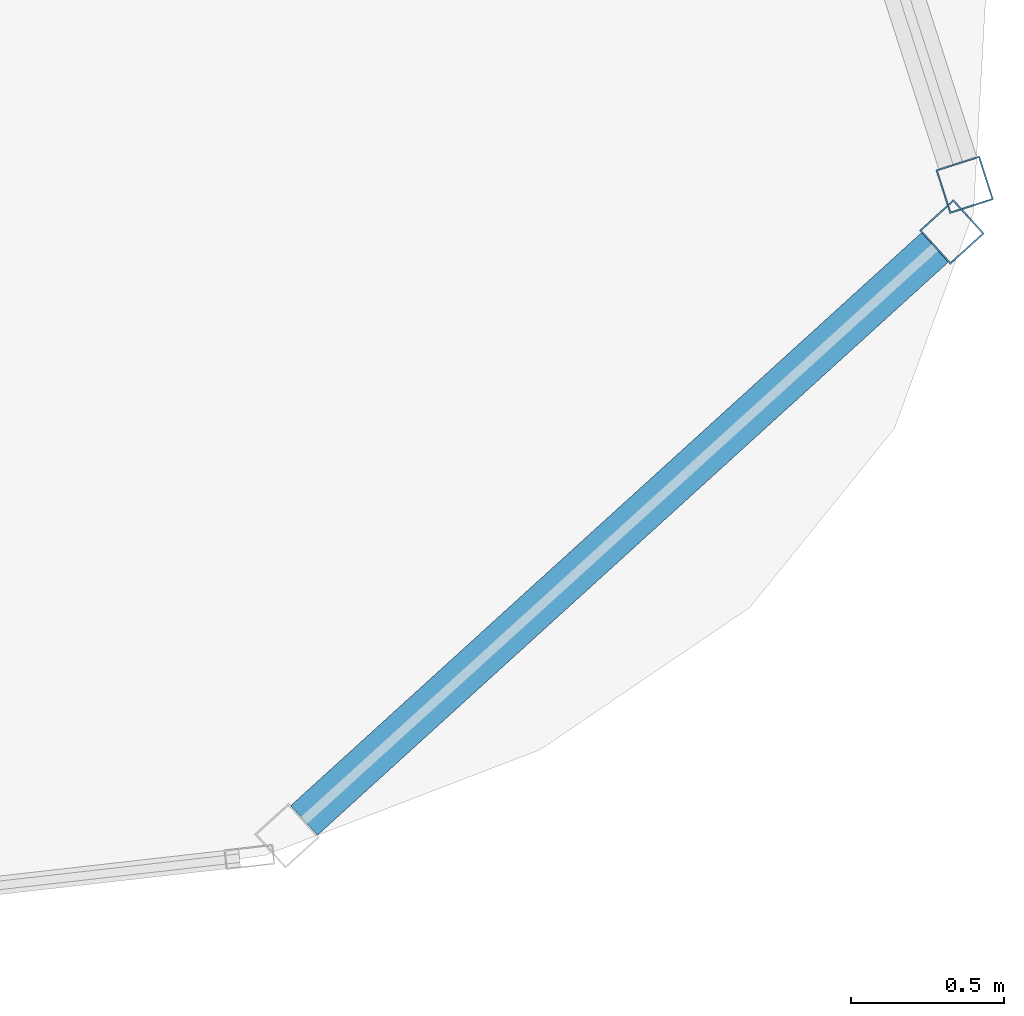
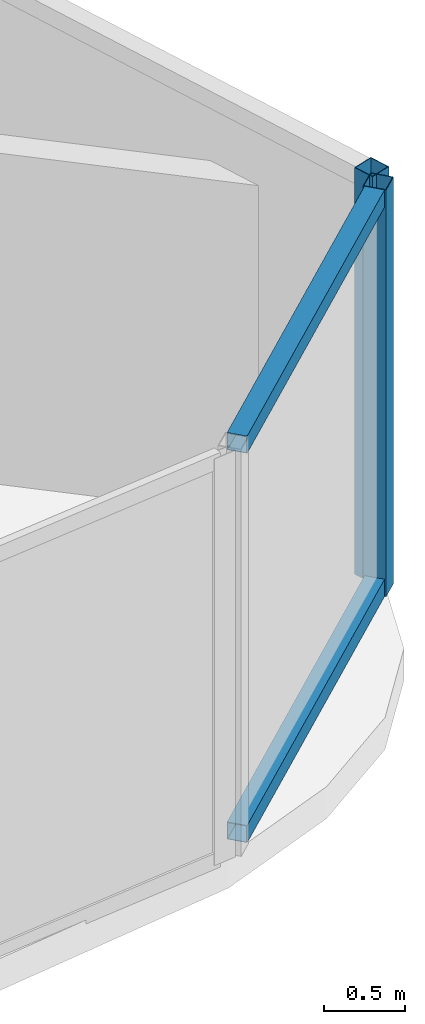
# One storey, part 15 of 30: 4 members, 2 elements without a shape of their own.
"""IFC4 building model written with IfcOpenShell, lengths in metres."""

from ifc_helpers import new_model, si_unit, direction, frame, origin, origin_2d, place, context, subcontext, project, spatial, hollow_rectangle, extrude, material, layer, layer_set, material_profile, profile_set, type_object, element, aggregate, save


model = new_model("IFC4")

# Units and contexts
model_context = context("Model", 3, precision=1e-05, world=origin(), true_north=direction((0.0, 1.0)))
body_context = subcontext(model_context, "Body", "Model", "MODEL_VIEW")
ifc_project = project(units=[si_unit("LENGTHUNIT", "METRE"), si_unit("AREAUNIT", "SQUARE_METRE"), si_unit("VOLUMEUNIT", "CUBIC_METRE"), si_unit("PLANEANGLEUNIT", "RADIAN"), si_unit("MASSUNIT", "GRAM", prefix="KILO")], contexts=[model_context])

# Site, building, storey
site_placement = place(None, origin())
site = spatial("IfcSite", under=ifc_project, at=site_placement, CompositionType="ELEMENT")
building_placement = place(site_placement, origin())
building = spatial("IfcBuilding", under=site, at=building_placement, Name="Orvanel Arch Residences", CompositionType="ELEMENT")
storey_placement = place(building_placement, frame((0.0, 0.0, 226.10009765625)))
storey = spatial("IfcBuildingStorey", under=building, at=storey_placement, Name="L64", CompositionType="ELEMENT", Elevation=226.10009765625)

# Curtain wall, member
ifc_material = material(Name="Bronze-anodised aluminium AA6063-T6", Category="aluminium")
ifc_layer = layer(ifc_material, 0.18994140625)
ifc_layer_set = layer_set([ifc_layer], Name="Bronze-anodised aluminium AA6063-T6")
curtain_wall_type = type_object("IfcCurtainWallType", Name="CW5-CRN-SYS", PredefinedType="NOTDEFINED", material=ifc_layer_set)
curtain_wall_1_placement = place(storey_placement, origin())
curtain_wall_1 = element("IfcCurtainWall", 1, at=curtain_wall_1_placement, inside=storey, type_object=curtain_wall_type, Name="L64 CW5-CRN-SYS Unitised Curtain Wall", PredefinedType="NOTDEFINED")
ifc_material_profile_1 = material_profile(ifc_material, hollow_rectangle(XDim=0.14990234375, YDim=0.14990234375, WallThickness=0.0048828125, at=origin_2d()), Name="ALU150x150x5")
ifc_profile_set_1 = profile_set([ifc_material_profile_1], Name="Bronze-anodised aluminium AA6063-T6")
member_type_1 = type_object("IfcMemberType", Name="MUL-150x150", PredefinedType="MULLION", material=ifc_profile_set_1)
member_1_placement = place(storey_placement, frame((55.81640625, 8.79248046875, 0.0), z_axis=(0.0, 0.0, 1.0), x_axis=(-0.672365707037, 0.740219127016, 0.0)))
member_1 = element("IfcMember", 2, at=member_1_placement, type_object=member_type_1, Name="CW-S5 mullion 2", PredefinedType="MULLION", context=body_context, shape_type="SweptSolid", body=[
    extrude(hollow_rectangle(XDim=0.14990234375, YDim=0.14990234375, WallThickness=0.0048828125, at=origin_2d()), origin(), (0.0, 0.0, 1.0), 3.059814453125),
])

curtain_wall_2_placement = place(storey_placement, origin())
curtain_wall_2 = element("IfcCurtainWall", 3, at=curtain_wall_2_placement, inside=storey, type_object=curtain_wall_type, Name="L64 CW5-CRN-SYS Unitised Curtain Wall", PredefinedType="NOTDEFINED")
member_2_placement = place(storey_placement, frame((55.858154296875, 8.946533203125, 0.0), z_axis=(0.0, 0.0, 1.0), x_axis=(-0.952168522204, -0.305573404151, 0.0)))
member_2 = element("IfcMember", 4, at=member_2_placement, type_object=member_type_1, Name="CW-S5 mullion 1", PredefinedType="MULLION", context=body_context, shape_type="SweptSolid", body=[
    extrude(hollow_rectangle(XDim=0.14990234375, YDim=0.14990234375, WallThickness=0.0048828125, at=origin_2d()), origin(), (0.0, 0.0, 1.0), 3.059814453125),
])
aggregate(curtain_wall_2, [member_2])

# Member
ifc_material_profile_2 = material_profile(ifc_material, hollow_rectangle(XDim=0.1298828125, YDim=0.1298828125, WallThickness=0.00439453125, at=origin_2d()), Name="ALU130x130x4.5")
ifc_profile_set_2 = profile_set([ifc_material_profile_2], Name="Bronze-anodised aluminium AA6063-T6")
member_type_2 = type_object("IfcMemberType", Name="TRN-130x130", PredefinedType="USERDEFINED", material=ifc_profile_set_2)
member_3_placement = place(storey_placement, frame((53.703125, 6.872802734375, 0.06494140625), z_axis=(0.74019035374, 0.672397382677, 0.0), x_axis=(-0.672397382677, 0.74019035374, 0.0)))
member_3 = element("IfcMember", 5, at=member_3_placement, type_object=member_type_2, Name="CW-S5 transom 1.1", ObjectType="TRANSOM", PredefinedType="USERDEFINED", context=body_context, shape_type="SweptSolid", body=[
    extrude(hollow_rectangle(XDim=0.1298828125, YDim=0.1298828125, WallThickness=0.00439453125, at=origin_2d()), origin(), (0.0, 0.0, 1.0), 2.7802734375),
])

member_4_placement = place(storey_placement, frame((53.703125, 6.872802734375, 2.994873046875), z_axis=(0.74019035374, 0.672397382677, 0.0), x_axis=(-0.672397382677, 0.74019035374, 0.0)))
member_4 = element("IfcMember", 6, at=member_4_placement, type_object=member_type_2, Name="CW-S5 transom 1.2", ObjectType="TRANSOM", PredefinedType="USERDEFINED", context=body_context, shape_type="SweptSolid", body=[
    extrude(hollow_rectangle(XDim=0.1298828125, YDim=0.1298828125, WallThickness=0.00439453125, at=origin_2d()), origin(), (0.0, 0.0, 1.0), 2.7802734375),
])

aggregate(curtain_wall_1, [member_1, member_3, member_4])

save(model, "model.ifc")
